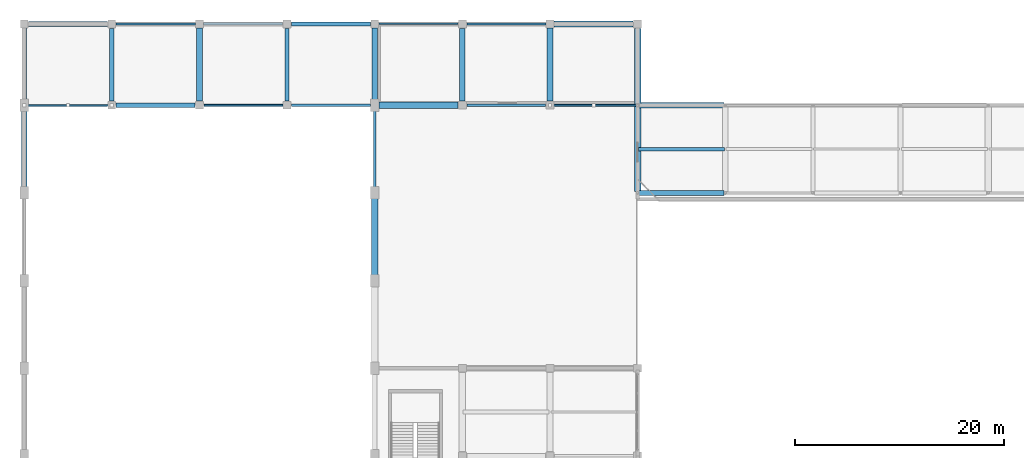
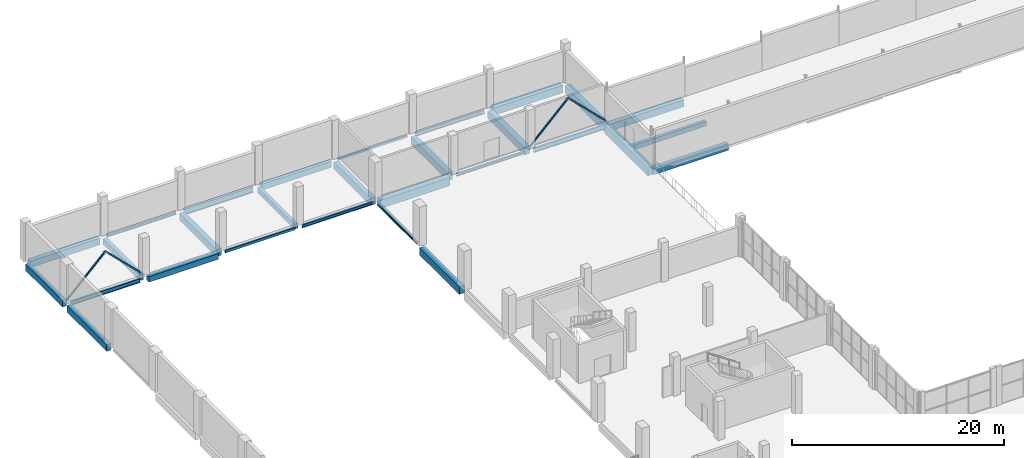
# One storey, part 35 of 75: 29 beams, 4 members.
"""IFC4 building model written with IfcOpenShell, lengths in metres."""

from ifc_helpers import new_model, si_unit, derived_unit, direction, frame, origin, origin_2d, place, context, subcontext, project, spatial, rectangle, hollow_rectangle, i_section, extrude, material, material_profile, profile_set, type_object, element, save


model = new_model("IFC4")

# Units and contexts
model_context = context("Model", 3, precision=1e-05, world=origin(), true_north=direction((0.0, 1.0)))
body_context = subcontext(model_context, "Body", "Model", "MODEL_VIEW")
ifc_project = project(units=[si_unit("LENGTHUNIT", "METRE"), si_unit("AREAUNIT", "SQUARE_METRE"), si_unit("VOLUMEUNIT", "CUBIC_METRE"), si_unit("PLANEANGLEUNIT", "RADIAN"), si_unit("MASSUNIT", "GRAM", prefix="KILO"), derived_unit("THERMALTRANSMITTANCEUNIT", [(si_unit("POWERUNIT", "WATT"), 1), (si_unit("LENGTHUNIT", "METRE"), -2), (si_unit("THERMODYNAMICTEMPERATUREUNIT", "KELVIN"), -1)])], contexts=[model_context])

# Site, building, storey
site_placement = place(None, origin())
site = spatial("IfcSite", under=ifc_project, at=site_placement, CompositionType="ELEMENT")
building_placement = place(site_placement, origin())
building = spatial("IfcBuilding", under=site, at=building_placement, Name="Barrovel Congress Hotel", CompositionType="ELEMENT")
storey_placement = place(building_placement, frame((0.0, 0.0, 5.39990234375)))
storey = spatial("IfcBuildingStorey", under=building, at=storey_placement, Name="L01", CompositionType="ELEMENT", Elevation=5.39990234375)

# Beams
ifc_material_1 = material(Name="Concrete C40", Category="concrete")
ifc_material_profile_1 = material_profile(ifc_material_1, rectangle(XDim=0.35009765625, YDim=0.550048828125, at=origin_2d()), Name="RC350x550")
ifc_profile_set_1 = profile_set([ifc_material_profile_1], Name="Concrete C40")
beam_type_1 = type_object("IfcBeamType", Name="BM-RC350x550", PredefinedType="JOIST", material=ifc_profile_set_1)
beam_1_placement = place(storey_placement, frame((58.8798828125, 100.800048828125, -0.534912109375), z_axis=(1.0, 0.0, 0.0), x_axis=(0.0, 1.0, 0.0)))
element("IfcBeam", 1, at=beam_1_placement, inside=storey, type_object=beam_type_1, Name="JST:L01:58.8:100.8", PredefinedType="JOIST", context=body_context, shape_type="SweptSolid", body=[
    extrude(rectangle(XDim=0.35009765625, YDim=0.550048828125, at=origin_2d()), origin(), (0.0, 0.0, 1.0), 8.240234375),
])
ifc_material_profile_2 = material_profile(ifc_material_1, rectangle(XDim=0.39990234375, YDim=0.60009765625, at=origin_2d()), Name="RC400x600")
ifc_profile_set_2 = profile_set([ifc_material_profile_2], Name="Concrete C40")
beam_type_2 = type_object("IfcBeamType", Name="BM-RC400x600", PredefinedType="BEAM", material=ifc_profile_set_2)
beam_2_placement = place(storey_placement, frame((25.199951171875, 105.39990234375, -0.559814453125), z_axis=(0.0, 1.0, 0.0), x_axis=(-1.0, 0.0, 0.0)))
element("IfcBeam", 2, at=beam_2_placement, inside=storey, type_object=beam_type_2, Name="BMY:L01:25.2:105.0-112.8", PredefinedType="BEAM", context=body_context, shape_type="SweptSolid", body=[
    extrude(rectangle(XDim=0.39990234375, YDim=0.60009765625, at=origin_2d()), origin(), (0.0, 0.0, 1.0), 6.97509765625),
])
ifc_material_profile_3 = material_profile(ifc_material_1, rectangle(XDim=0.39990234375, YDim=0.699951171875, at=origin_2d()), Name="RC400x700")
ifc_profile_set_3 = profile_set([ifc_material_profile_3], Name="Concrete C40")
beam_type_3 = type_object("IfcBeamType", Name="BM-RC400x700", PredefinedType="BEAM", material=ifc_profile_set_3)
beam_3_placement = place(storey_placement, frame((25.625, 112.800048828125, -0.60986328125), z_axis=(1.0, 0.0, 0.0), x_axis=(0.0, 1.0, 0.0)))
element("IfcBeam", 3, at=beam_3_placement, inside=storey, type_object=beam_type_3, Name="BMX:L01:112.8:25.2-33.6", PredefinedType="BEAM", context=body_context, shape_type="SweptSolid", body=[
    extrude(rectangle(XDim=0.39990234375, YDim=0.699951171875, at=origin_2d()), origin(), (0.0, 0.0, 1.0), 7.574951171875),
])
ifc_material_profile_4 = material_profile(ifc_material_1, rectangle(XDim=0.449951171875, YDim=0.64990234375, at=origin_2d()), Name="RC450x650")
ifc_profile_set_4 = profile_set([ifc_material_profile_4], Name="Concrete C40")
beam_type_4 = type_object("IfcBeamType", Name="BM-RC450x650", PredefinedType="BEAM", material=ifc_profile_set_4)
beam_4_placement = place(storey_placement, frame((8.824951171875, 105.0, -0.5849609375), z_axis=(1.0, 0.0, 0.0), x_axis=(0.0, 1.0, 0.0)))
element("IfcBeam", 4, at=beam_4_placement, inside=storey, type_object=beam_type_4, Name="BMX:L01:105.0:8.4-16.8", PredefinedType="BEAM", context=body_context, shape_type="SweptSolid", body=[
    extrude(rectangle(XDim=0.449951171875, YDim=0.64990234375, at=origin_2d()), origin(), (0.0, 0.0, 1.0), 7.550048828125),
])
beam_5_placement = place(storey_placement, frame((8.39990234375, 105.425048828125, -0.5849609375), z_axis=(0.0, 1.0, 0.0), x_axis=(-1.0, 0.0, 0.0)))
element("IfcBeam", 5, at=beam_5_placement, inside=storey, type_object=beam_type_4, Name="BMY:L01:8.4:105.0-112.8", PredefinedType="BEAM", context=body_context, shape_type="SweptSolid", body=[
    extrude(rectangle(XDim=0.449951171875, YDim=0.64990234375, at=origin_2d()), origin(), (0.0, 0.0, 1.0), 6.949951171875),
])
ifc_material_profile_5 = material_profile(ifc_material_1, rectangle(XDim=0.449951171875, YDim=0.75, at=origin_2d()), Name="RC450x750")
ifc_profile_set_5 = profile_set([ifc_material_profile_5], Name="Concrete C40")
beam_type_5 = type_object("IfcBeamType", Name="BM-RC450x750", PredefinedType="BEAM", material=ifc_profile_set_5)
beam_6_placement = place(storey_placement, frame((58.9365234375, 96.60009765625, -0.635009765625), z_axis=(1.0, 0.0, 0.0), x_axis=(0.0, 1.0, 0.0)))
element("IfcBeam", 6, at=beam_6_placement, inside=storey, type_object=beam_type_5, Name="BMX:L01:96.6:58.8-67.2", PredefinedType="BEAM", context=body_context, shape_type="SweptSolid", body=[
    extrude(rectangle(XDim=0.449951171875, YDim=0.75, at=origin_2d()), origin(), (0.0, 0.0, 1.0), 8.126953125),
])
beam_7_placement = place(storey_placement, frame((0.0, 105.449951171875, -0.635009765625), z_axis=(0.0, 1.0, 0.0), x_axis=(-1.0, 0.0, 0.0)))
element("IfcBeam", 7, at=beam_7_placement, inside=storey, type_object=beam_type_5, Name="BMY:L01:0.0:105.0-112.8", PredefinedType="BEAM", context=body_context, shape_type="SweptSolid", body=[
    extrude(rectangle(XDim=0.449951171875, YDim=0.75, at=origin_2d()), origin(), (0.0, 0.0, 1.0), 6.949951171875),
])
ifc_material_profile_6 = material_profile(ifc_material_1, rectangle(XDim=0.5, YDim=0.75, at=origin_2d()), Name="RC500x750")
ifc_profile_set_6 = profile_set([ifc_material_profile_6], Name="Concrete C40")
beam_type_6 = type_object("IfcBeamType", Name="BM-RC500x750", PredefinedType="BEAM", material=ifc_profile_set_6)
beam_8_placement = place(storey_placement, frame((0.39990234375, 112.800048828125, -0.635009765625), z_axis=(1.0, 0.0, 0.0), x_axis=(0.0, 1.0, 0.0)))
element("IfcBeam", 8, at=beam_8_placement, inside=storey, type_object=beam_type_6, Name="BMX:L01:112.8:0.0-8.4", PredefinedType="BEAM", context=body_context, shape_type="SweptSolid", body=[
    extrude(rectangle(XDim=0.5, YDim=0.75, at=origin_2d()), origin(), (0.0, 0.0, 1.0), 7.5751953125),
])
beam_9_placement = place(storey_placement, frame((0.0, 97.050048828125, -0.635009765625), z_axis=(0.0, 1.0, 0.0), x_axis=(-1.0, 0.0, 0.0)))
element("IfcBeam", 9, at=beam_9_placement, inside=storey, type_object=beam_type_6, Name="BMY:L01:0.0:96.6-105.0", PredefinedType="BEAM", context=body_context, shape_type="SweptSolid", body=[
    extrude(rectangle(XDim=0.5, YDim=0.75, at=origin_2d()), origin(), (0.0, 0.0, 1.0), 7.5),
])
ifc_material_profile_7 = material_profile(ifc_material_1, rectangle(XDim=0.550048828125, YDim=0.800048828125, at=origin_2d()), Name="RC550x800")
ifc_profile_set_7 = profile_set([ifc_material_profile_7], Name="Concrete C40")
beam_type_7 = type_object("IfcBeamType", Name="BM-RC550x800", PredefinedType="BEAM", material=ifc_profile_set_7)
beam_10_placement = place(storey_placement, frame((58.9365234375, 105.0, -0.659912109375), z_axis=(1.0, 0.0, 0.0), x_axis=(0.0, 1.0, 0.0)))
element("IfcBeam", 10, at=beam_10_placement, inside=storey, type_object=beam_type_7, Name="BMX:L01:105.0:58.8-67.2", PredefinedType="BEAM", context=body_context, shape_type="SweptSolid", body=[
    extrude(rectangle(XDim=0.550048828125, YDim=0.800048828125, at=origin_2d()), origin(), (0.0, 0.0, 1.0), 8.126953125),
])
beam_11_placement = place(storey_placement, frame((16.800048828125, 105.425048828125, -0.659912109375), z_axis=(0.0, 1.0, 0.0), x_axis=(-1.0, 0.0, 0.0)))
element("IfcBeam", 11, at=beam_11_placement, inside=storey, type_object=beam_type_7, Name="BMY:L01:16.8:105.0-112.8", PredefinedType="BEAM", context=body_context, shape_type="SweptSolid", body=[
    extrude(rectangle(XDim=0.550048828125, YDim=0.800048828125, at=origin_2d()), origin(), (0.0, 0.0, 1.0), 6.974853515625),
])
beam_12_placement = place(storey_placement, frame((33.60009765625, 105.449951171875, -0.659912109375), z_axis=(0.0, 1.0, 0.0), x_axis=(-1.0, 0.0, 0.0)))
element("IfcBeam", 12, at=beam_12_placement, inside=storey, type_object=beam_type_7, Name="BMY:L01:33.6:105.0-112.8", PredefinedType="BEAM", context=body_context, shape_type="SweptSolid", body=[
    extrude(rectangle(XDim=0.550048828125, YDim=0.800048828125, at=origin_2d()), origin(), (0.0, 0.0, 1.0), 6.949951171875),
])
ifc_material_profile_8 = material_profile(ifc_material_1, rectangle(XDim=0.550048828125, YDim=0.89990234375, at=origin_2d()), Name="RC550x900")
ifc_profile_set_8 = profile_set([ifc_material_profile_8], Name="Concrete C40")
beam_type_8 = type_object("IfcBeamType", Name="BM-RC550x900", PredefinedType="BEAM", material=ifc_profile_set_8)
beam_13_placement = place(storey_placement, frame((42.0, 105.425048828125, -0.7099609375), z_axis=(0.0, 1.0, 0.0), x_axis=(-1.0, 0.0, 0.0)))
element("IfcBeam", 13, at=beam_13_placement, inside=storey, type_object=beam_type_8, Name="BMY:L01:42.0:105.0-112.8", PredefinedType="BEAM", context=body_context, shape_type="SweptSolid", body=[
    extrude(rectangle(XDim=0.550048828125, YDim=0.89990234375, at=origin_2d()), origin(), (0.0, 0.0, 1.0), 6.949951171875),
])
ifc_material_profile_9 = material_profile(ifc_material_1, rectangle(XDim=0.60009765625, YDim=0.85009765625, at=origin_2d()), Name="RC600x850")
ifc_profile_set_9 = profile_set([ifc_material_profile_9], Name="Concrete C40")
beam_type_9 = type_object("IfcBeamType", Name="BM-RC600x850", PredefinedType="BEAM", material=ifc_profile_set_9)
beam_14_placement = place(storey_placement, frame((50.800048828125, 112.800048828125, -0.684814453125), z_axis=(1.0, 0.0, 0.0), x_axis=(0.0, 1.0, 0.0)))
element("IfcBeam", 14, at=beam_14_placement, inside=storey, type_object=beam_type_9, Name="BMX:L01:112.8:50.4-58.8", PredefinedType="BEAM", context=body_context, shape_type="SweptSolid", body=[
    extrude(rectangle(XDim=0.60009765625, YDim=0.85009765625, at=origin_2d()), origin(), (0.0, 0.0, 1.0), 7.574951171875),
])
beam_15_placement = place(storey_placement, frame((33.60009765625, 88.64990234375, -0.684814453125), z_axis=(0.0, 1.0, 0.0), x_axis=(-1.0, 0.0, 0.0)))
element("IfcBeam", 15, at=beam_15_placement, inside=storey, type_object=beam_type_9, Name="BMY:L01:33.6:88.2-96.6", PredefinedType="BEAM", context=body_context, shape_type="SweptSolid", body=[
    extrude(rectangle(XDim=0.60009765625, YDim=0.85009765625, at=origin_2d()), origin(), (0.0, 0.0, 1.0), 7.5),
])
beam_16_placement = place(storey_placement, frame((50.39990234375, 105.425048828125, -0.684814453125), z_axis=(0.0, 1.0, 0.0), x_axis=(-1.0, 0.0, 0.0)))
element("IfcBeam", 16, at=beam_16_placement, inside=storey, type_object=beam_type_9, Name="BMY:L01:50.4:105.0-112.8", PredefinedType="BEAM", context=body_context, shape_type="SweptSolid", body=[
    extrude(rectangle(XDim=0.60009765625, YDim=0.85009765625, at=origin_2d()), origin(), (0.0, 0.0, 1.0), 6.974853515625),
])
beam_17_placement = place(storey_placement, frame((58.800048828125, 105.136474609375, -0.684814453125), z_axis=(0.0, 1.0, 0.0), x_axis=(-1.0, 0.0, 0.0)))
element("IfcBeam", 17, at=beam_17_placement, inside=storey, type_object=beam_type_9, Name="BMY:L01:58.8:105.0-112.8", PredefinedType="BEAM", context=body_context, shape_type="SweptSolid", body=[
    extrude(rectangle(XDim=0.60009765625, YDim=0.85009765625, at=origin_2d()), origin(), (0.0, 0.0, 1.0), 7.238525390625),
])
ifc_material_profile_10 = material_profile(ifc_material_1, rectangle(XDim=0.60009765625, YDim=0.949951171875, at=origin_2d()), Name="RC600x950")
ifc_profile_set_10 = profile_set([ifc_material_profile_10], Name="Concrete C40")
beam_type_10 = type_object("IfcBeamType", Name="BM-RC600x950", PredefinedType="BEAM", material=ifc_profile_set_10)
beam_18_placement = place(storey_placement, frame((34.0, 105.0, -0.73486328125), z_axis=(1.0, 0.0, 0.0), x_axis=(0.0, 1.0, 0.0)))
element("IfcBeam", 18, at=beam_18_placement, inside=storey, type_object=beam_type_10, Name="BMX:L01:105.0:33.6-42.0", PredefinedType="BEAM", context=body_context, shape_type="SweptSolid", body=[
    extrude(rectangle(XDim=0.60009765625, YDim=0.949951171875, at=origin_2d()), origin(), (0.0, 0.0, 1.0), 7.574951171875),
])
beam_19_placement = place(storey_placement, frame((58.800048828125, 96.736572265625, -0.73486328125), z_axis=(0.0, 1.0, 0.0), x_axis=(-1.0, 0.0, 0.0)))
element("IfcBeam", 19, at=beam_19_placement, inside=storey, type_object=beam_type_10, Name="BMY:L01:58.8:96.6-105.0", PredefinedType="BEAM", context=body_context, shape_type="SweptSolid", body=[
    extrude(rectangle(XDim=0.60009765625, YDim=0.949951171875, at=origin_2d()), origin(), (0.0, 0.0, 1.0), 8.126953125),
])

# Members
ifc_material_2 = material(Name="Steel ASTM A500 Grade C", Category="steel")
ifc_material_profile_11 = material_profile(ifc_material_2, hollow_rectangle(XDim=0.15234375, YDim=0.15234375, WallThickness=0.00732421875, InnerFilletRadius=0.00732421875, OuterFilletRadius=0.014892578125, at=origin_2d()), Name="HSS152x152x7.9")
ifc_profile_set_11 = profile_set([ifc_material_profile_11], Name="Steel ASTM A500 Grade C")
member_type = type_object("IfcMemberType", Name="MEM-HSS152x152x7.9", PredefinedType="BRACE", material=ifc_profile_set_11)
for number, where, z_axis, x_axis, name in (
    (20, (0.0, 105.0, 0.0), (0.711311711761, 0.0, 0.70287669524), (0.0, 1.0, 0.0), "CBF:L01:BF1:L"),
    (21, (8.39990234375, 105.0, 0.0), (-0.711311711761, 0.0, 0.70287669524), (0.0, -1.0, 0.0), "CBF:L01:BF1:R"),
):
    element("IfcMember", number, at=place(storey_placement, frame(where, z_axis=z_axis, x_axis=x_axis)), inside=storey, type_object=member_type, Name=name, PredefinedType="BRACE", context=body_context, shape_type="SweptSolid", body=[
        extrude(hollow_rectangle(XDim=0.15234375, YDim=0.15234375, WallThickness=0.00732421875, InnerFilletRadius=0.00732421875, OuterFilletRadius=0.014892578125, at=origin_2d()), origin(), (0.0, 0.0, 1.0), 5.904541015625),
    ])
member_1_placement = place(storey_placement, frame((50.39990234375, 105.0, 0.0), z_axis=(0.711332138305, 0.0, 0.702856022962), x_axis=(0.0, 1.0, 0.0)))
element("IfcMember", 22, at=member_1_placement, inside=storey, type_object=member_type, Name="CBF:L01:BF2:L", PredefinedType="BRACE", context=body_context, shape_type="SweptSolid", body=[
    extrude(hollow_rectangle(XDim=0.15234375, YDim=0.15234375, WallThickness=0.00732421875, InnerFilletRadius=0.00732421875, OuterFilletRadius=0.014892578125, at=origin_2d()), origin(), (0.0, 0.0, 1.0), 5.90478515625),
])
member_2_placement = place(storey_placement, frame((58.800048828125, 105.0, 0.0), z_axis=(-0.711311711761, 0.0, 0.70287669524), x_axis=(0.0, -1.0, 0.0)))
element("IfcMember", 23, at=member_2_placement, inside=storey, type_object=member_type, Name="CBF:L01:BF2:R", PredefinedType="BRACE", context=body_context, shape_type="SweptSolid", body=[
    extrude(hollow_rectangle(XDim=0.15234375, YDim=0.15234375, WallThickness=0.00732421875, InnerFilletRadius=0.00732421875, OuterFilletRadius=0.014892578125, at=origin_2d()), origin(), (0.0, 0.0, 1.0), 5.904541015625),
])

# Beams
ifc_material_profile_12 = material_profile(ifc_material_2, hollow_rectangle(XDim=0.15234375, YDim=0.25390625, WallThickness=0.0087890625, InnerFilletRadius=0.0087890625, OuterFilletRadius=0.017578125, at=origin_2d()), Name="HSS254x152x9.5")
ifc_profile_set_12 = profile_set([ifc_material_profile_12], Name="Steel ASTM A500 Grade C")
beam_type_11 = type_object("IfcBeamType", Name="SBM-HSS254x152x9.5", PredefinedType="SPANDREL", material=ifc_profile_set_12)
beam_20_placement = place(storey_placement, frame((34.0, 112.800048828125, -0.386962890625), z_axis=(1.0, 0.0, 0.0), x_axis=(0.0, 1.0, 0.0)))
element("IfcBeam", 24, at=beam_20_placement, inside=storey, type_object=beam_type_11, Name="BMX:L01:112.8:33.6-42.0", PredefinedType="SPANDREL", context=body_context, shape_type="SweptSolid", body=[
    extrude(hollow_rectangle(XDim=0.15234375, YDim=0.25390625, WallThickness=0.0087890625, InnerFilletRadius=0.0087890625, OuterFilletRadius=0.017578125, at=origin_2d()), origin(), (0.0, 0.0, 1.0), 7.574951171875),
])
ifc_material_profile_13 = material_profile(ifc_material_2, hollow_rectangle(XDim=0.203125, YDim=0.3046875, WallThickness=0.01171875, InnerFilletRadius=0.01171875, OuterFilletRadius=0.023681640625, at=origin_2d()), Name="HSS305x203x12.7")
ifc_profile_set_13 = profile_set([ifc_material_profile_13], Name="Steel ASTM A500 Grade C")
beam_type_12 = type_object("IfcBeamType", Name="SBM-HSS305x203x12.7", PredefinedType="SPANDREL", material=ifc_profile_set_13)
beam_21_placement = place(storey_placement, frame((17.22509765625, 105.0, -0.412353515625), z_axis=(1.0, 0.0, 0.0), x_axis=(0.0, 1.0, 0.0)))
element("IfcBeam", 25, at=beam_21_placement, inside=storey, type_object=beam_type_12, Name="BMX:L01:105.0:16.8-25.2", PredefinedType="SPANDREL", context=body_context, shape_type="SweptSolid", body=[
    extrude(hollow_rectangle(XDim=0.203125, YDim=0.3046875, WallThickness=0.01171875, InnerFilletRadius=0.01171875, OuterFilletRadius=0.023681640625, at=origin_2d()), origin(), (0.0, 0.0, 1.0), 7.574951171875),
])
ifc_material_3 = material(Name="Steel ASTM A992 Grade 50", Category="steel")
ifc_material_profile_14 = material_profile(ifc_material_3, i_section(OverallWidth=0.201904296875, OverallDepth=0.2470703125, WebThickness=0.00732421875, FlangeThickness=0.010986328125, FilletRadius=0.011962890625, at=origin_2d()), Name="W250x49")
ifc_profile_set_14 = profile_set([ifc_material_profile_14], Name="Steel ASTM A992 Grade 50")
beam_type_13 = type_object("IfcBeamType", Name="SBM-W250x49", PredefinedType="SPANDREL", material=ifc_profile_set_14)
beam_22_placement = place(storey_placement, frame((33.60009765625, 97.050048828125, -0.38330078125), z_axis=(0.0, 1.0, 0.0), x_axis=(-1.0, 0.0, 0.0)))
element("IfcBeam", 26, at=beam_22_placement, inside=storey, type_object=beam_type_13, Name="BMY:L01:33.6:96.6-105.0", PredefinedType="SPANDREL", context=body_context, shape_type="SweptSolid", body=[
    extrude(i_section(OverallWidth=0.201904296875, OverallDepth=0.2470703125, WebThickness=0.00732421875, FlangeThickness=0.010986328125, FilletRadius=0.011962890625, at=origin_2d()), origin(), (0.0, 0.0, 1.0), 7.5),
])
ifc_material_profile_15 = material_profile(ifc_material_3, i_section(OverallWidth=0.205078125, OverallDepth=0.31005859375, WebThickness=0.009521484375, FlangeThickness=0.016357421875, FilletRadius=0.012939453125, at=origin_2d()), Name="W310x74")
ifc_profile_set_15 = profile_set([ifc_material_profile_15], Name="Steel ASTM A992 Grade 50")
beam_type_14 = type_object("IfcBeamType", Name="SBM-W310x74", PredefinedType="SPANDREL", material=ifc_profile_set_15)
beam_23_placement = place(storey_placement, frame((42.425048828125, 105.0, -0.414794921875), z_axis=(1.0, 0.0, 0.0), x_axis=(0.0, 1.0, 0.0)))
element("IfcBeam", 27, at=beam_23_placement, inside=storey, type_object=beam_type_14, Name="BMX:L01:105.0:42.0-50.4", PredefinedType="SPANDREL", context=body_context, shape_type="SweptSolid", body=[
    extrude(i_section(OverallWidth=0.205078125, OverallDepth=0.31005859375, WebThickness=0.009521484375, FlangeThickness=0.016357421875, FilletRadius=0.012939453125, at=origin_2d()), origin(), (0.0, 0.0, 1.0), 7.550048828125),
])
beam_24_placement = place(storey_placement, frame((8.824951171875, 112.800048828125, -0.414794921875), z_axis=(1.0, 0.0, 0.0), x_axis=(0.0, 1.0, 0.0)))
element("IfcBeam", 28, at=beam_24_placement, inside=storey, type_object=beam_type_14, Name="BMX:L01:112.8:8.4-16.8", PredefinedType="SPANDREL", context=body_context, shape_type="SweptSolid", body=[
    extrude(i_section(OverallWidth=0.205078125, OverallDepth=0.31005859375, WebThickness=0.009521484375, FlangeThickness=0.016357421875, FilletRadius=0.012939453125, at=origin_2d()), origin(), (0.0, 0.0, 1.0), 7.574951171875),
])
ifc_material_profile_16 = material_profile(ifc_material_3, i_section(OverallWidth=0.205078125, OverallDepth=0.35400390625, WebThickness=0.009521484375, FlangeThickness=0.016845703125, FilletRadius=0.012939453125, at=origin_2d()), Name="W360x79")
ifc_profile_set_16 = profile_set([ifc_material_profile_16], Name="Steel ASTM A992 Grade 50")
beam_type_15 = type_object("IfcBeamType", Name="SBM-W360x79", PredefinedType="BEAM", material=ifc_profile_set_16)
beam_25_placement = place(storey_placement, frame((25.60009765625, 105.0, -0.43701171875), z_axis=(1.0, 0.0, 0.0), x_axis=(0.0, 1.0, 0.0)))
element("IfcBeam", 29, at=beam_25_placement, inside=storey, type_object=beam_type_15, Name="BMX:L01:105.0:25.2-33.6", PredefinedType="BEAM", context=body_context, shape_type="SweptSolid", body=[
    extrude(i_section(OverallWidth=0.205078125, OverallDepth=0.35400390625, WebThickness=0.009521484375, FlangeThickness=0.016845703125, FilletRadius=0.012939453125, at=origin_2d()), origin(), (0.0, 0.0, 1.0), 7.599853515625),
])
ifc_material_profile_17 = material_profile(ifc_material_3, i_section(OverallWidth=0.19091796875, OverallDepth=0.4599609375, WebThickness=0.010009765625, FlangeThickness=0.01611328125, FilletRadius=0.012939453125, at=origin_2d()), Name="W460x82")
ifc_profile_set_17 = profile_set([ifc_material_profile_17], Name="Steel ASTM A992 Grade 50")
beam_type_16 = type_object("IfcBeamType", Name="SBM-W460x82", PredefinedType="BEAM", material=ifc_profile_set_17)
beam_26_placement = place(storey_placement, frame((0.39990234375, 105.0, -0.489990234375), z_axis=(1.0, 0.0, 0.0), x_axis=(0.0, 1.0, 0.0)))
element("IfcBeam", 30, at=beam_26_placement, inside=storey, type_object=beam_type_16, Name="BMX:L01:105.0:0.0-8.4", PredefinedType="BEAM", context=body_context, shape_type="SweptSolid", body=[
    extrude(i_section(OverallWidth=0.19091796875, OverallDepth=0.4599609375, WebThickness=0.010009765625, FlangeThickness=0.01611328125, FilletRadius=0.012939453125, at=origin_2d()), origin(), (0.0, 0.0, 1.0), 7.5751953125),
])
beam_27_placement = place(storey_placement, frame((42.425048828125, 112.800048828125, -0.489990234375), z_axis=(1.0, 0.0, 0.0), x_axis=(0.0, 1.0, 0.0)))
element("IfcBeam", 31, at=beam_27_placement, inside=storey, type_object=beam_type_16, Name="BMX:L01:112.8:42.0-50.4", PredefinedType="BEAM", context=body_context, shape_type="SweptSolid", body=[
    extrude(i_section(OverallWidth=0.19091796875, OverallDepth=0.4599609375, WebThickness=0.010009765625, FlangeThickness=0.01611328125, FilletRadius=0.012939453125, at=origin_2d()), origin(), (0.0, 0.0, 1.0), 7.574951171875),
])
ifc_material_profile_18 = material_profile(ifc_material_3, i_section(OverallWidth=0.208984375, OverallDepth=0.532958984375, WebThickness=0.01025390625, FlangeThickness=0.015625, FilletRadius=0.013916015625, at=origin_2d()), Name="W530x92")
ifc_profile_set_18 = profile_set([ifc_material_profile_18], Name="Steel ASTM A992 Grade 50")
beam_type_17 = type_object("IfcBeamType", Name="SBM-W530x92", PredefinedType="BEAM", material=ifc_profile_set_18)
beam_28_placement = place(storey_placement, frame((50.824951171875, 105.0, -0.5263671875), z_axis=(1.0, 0.0, 0.0), x_axis=(0.0, 1.0, 0.0)))
element("IfcBeam", 32, at=beam_28_placement, inside=storey, type_object=beam_type_17, Name="BMX:L01:105.0:50.4-58.8", PredefinedType="BEAM", context=body_context, shape_type="SweptSolid", body=[
    extrude(i_section(OverallWidth=0.208984375, OverallDepth=0.532958984375, WebThickness=0.01025390625, FlangeThickness=0.015625, FilletRadius=0.013916015625, at=origin_2d()), origin(), (0.0, 0.0, 1.0), 7.83837890625),
])
ifc_material_profile_19 = material_profile(ifc_material_3, i_section(OverallWidth=0.25390625, OverallDepth=0.68408203125, WebThickness=0.012451171875, FlangeThickness=0.01904296875, FilletRadius=0.014892578125, at=origin_2d()), Name="W690x140")
ifc_profile_set_19 = profile_set([ifc_material_profile_19], Name="Steel ASTM A992 Grade 50")
beam_type_18 = type_object("IfcBeamType", Name="SBM-W690x140", PredefinedType="BEAM", material=ifc_profile_set_19)
beam_29_placement = place(storey_placement, frame((17.199951171875, 112.800048828125, -0.601806640625), z_axis=(1.0, 0.0, 0.0), x_axis=(0.0, 1.0, 0.0)))
element("IfcBeam", 33, at=beam_29_placement, inside=storey, type_object=beam_type_18, Name="BMX:L01:112.8:16.8-25.2", PredefinedType="BEAM", context=body_context, shape_type="SweptSolid", body=[
    extrude(i_section(OverallWidth=0.25390625, OverallDepth=0.68408203125, WebThickness=0.012451171875, FlangeThickness=0.01904296875, FilletRadius=0.014892578125, at=origin_2d()), origin(), (0.0, 0.0, 1.0), 7.574951171875),
])

save(model, "model.ifc")
